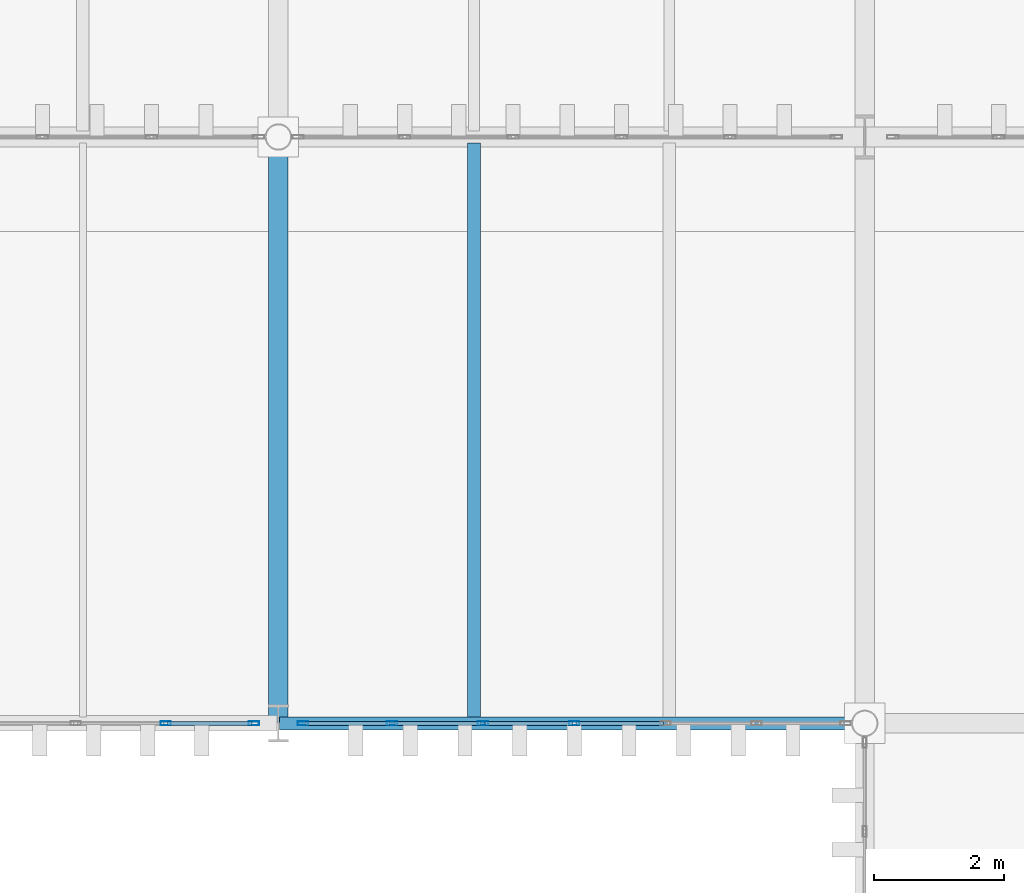
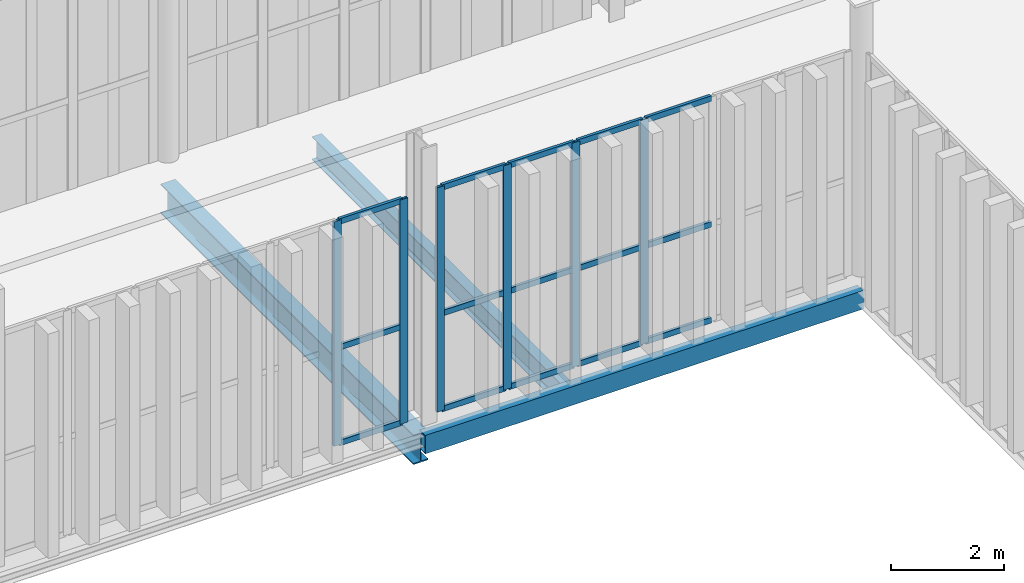
# One storey, part 147 of 237: 21 members, 3 beams, 2 elements without a shape of their own.
"""IFC4 building model written with IfcOpenShell, lengths in metres."""

from ifc_helpers import new_model, si_unit, direction, frame, origin, origin_2d, place, context, subcontext, project, spatial, hollow_rectangle, i_section, extrude, material, layer, layer_set, material_profile, profile_set, type_object, element, aggregate, save


model = new_model("IFC4")

# Units and contexts
model_context = context("Model", 3, precision=1e-05, world=origin(), true_north=direction((0.0, 1.0)))
body_context = subcontext(model_context, "Body", "Model", "MODEL_VIEW")
ifc_project = project(units=[si_unit("LENGTHUNIT", "METRE"), si_unit("AREAUNIT", "SQUARE_METRE"), si_unit("VOLUMEUNIT", "CUBIC_METRE"), si_unit("PLANEANGLEUNIT", "RADIAN"), si_unit("MASSUNIT", "GRAM", prefix="KILO")], contexts=[model_context])

# Site, building, storey
site_placement = place(None, origin())
site = spatial("IfcSite", under=ifc_project, at=site_placement, CompositionType="ELEMENT")
building_placement = place(site_placement, origin())
building = spatial("IfcBuilding", under=site, at=building_placement, Name="Barlavento Convention Centre", CompositionType="ELEMENT")
storey_placement = place(building_placement, frame((0.0, 0.0, 12.0)))
storey = spatial("IfcBuildingStorey", under=building, at=storey_placement, Name="L02", CompositionType="ELEMENT", Elevation=12.0)

# Curtain wall, members
ifc_material_1 = material(Name="Powder-coated aluminium and Low-E glass", Category="aluminium")
ifc_layer = layer(ifc_material_1, 0.195068359375)
ifc_layer_set = layer_set([ifc_layer], Name="ARC-CW-PATIO-A")
curtain_wall_type = type_object("IfcCurtainWallType", Name="ARC-CW-PATIO-A", PredefinedType="NOTDEFINED", material=ifc_layer_set)
curtain_wall_1_placement = place(storey_placement, origin())
curtain_wall_1 = element("IfcCurtainWall", 1, at=curtain_wall_1_placement, inside=storey, type_object=curtain_wall_type, Name="L02 unitised curtain wall CW11", PredefinedType="NOTDEFINED")
ifc_material_2 = material(Name="Powder-coated aluminium", Category="aluminium")
ifc_material_profile_1 = material_profile(ifc_material_2, hollow_rectangle(XDim=0.06005859375, YDim=0.159912109375, WallThickness=0.00390625, at=origin_2d()), Name="AL-MULL 60x160x4")
ifc_profile_set_1 = profile_set([ifc_material_profile_1], Name="Powder-coated aluminium")
member_type_1 = type_object("IfcMemberType", Name="ARC-CWM-60X160", PredefinedType="MULLION", material=ifc_profile_set_1)
member_1_placement = place(storey_placement, frame((160.271728515625, 90.0, 0.0), z_axis=(0.0, 0.0, 1.0), x_axis=(0.0, 1.0, 0.0)))
member_1 = element("IfcMember", 2, at=member_1_placement, type_object=member_type_1, Name="CW11 mullion 6", PredefinedType="MULLION", context=body_context, shape_type="SweptSolid", body=[
    extrude(hollow_rectangle(XDim=0.06005859375, YDim=0.159912109375, WallThickness=0.00390625, at=origin_2d()), origin(), (0.0, 0.0, 1.0), 4.85009765625),
])
member_2_placement = place(storey_placement, frame((161.6240234375, 90.0, 0.0), z_axis=(0.0, 0.0, 1.0), x_axis=(0.0, 1.0, 0.0)))
member_2 = element("IfcMember", 3, at=member_2_placement, type_object=member_type_1, Name="CW11 mullion 7", PredefinedType="MULLION", context=body_context, shape_type="SweptSolid", body=[
    extrude(hollow_rectangle(XDim=0.06005859375, YDim=0.159912109375, WallThickness=0.00390625, at=origin_2d()), origin(), (0.0, 0.0, 1.0), 4.85009765625),
])

curtain_wall_2_placement = place(storey_placement, origin())
curtain_wall_2 = element("IfcCurtainWall", 4, at=curtain_wall_2_placement, inside=storey, type_object=curtain_wall_type, Name="L02 unitised curtain wall CW11", PredefinedType="NOTDEFINED")
member_3_placement = place(storey_placement, frame((162.3759765625, 90.0, 0.0), z_axis=(0.0, 0.0, 1.0), x_axis=(0.0, 1.0, 0.0)))
member_3 = element("IfcMember", 5, at=member_3_placement, type_object=member_type_1, Name="CW11 mullion 1", PredefinedType="MULLION", context=body_context, shape_type="SweptSolid", body=[
    extrude(hollow_rectangle(XDim=0.06005859375, YDim=0.159912109375, WallThickness=0.00390625, at=origin_2d()), origin(), (0.0, 0.0, 1.0), 4.85009765625),
])
member_4_placement = place(storey_placement, frame((163.744384765625, 90.0, 0.0), z_axis=(0.0, 0.0, 1.0), x_axis=(0.0, 1.0, 0.0)))
member_4 = element("IfcMember", 6, at=member_4_placement, type_object=member_type_1, Name="CW11 mullion 2", PredefinedType="MULLION", context=body_context, shape_type="SweptSolid", body=[
    extrude(hollow_rectangle(XDim=0.06005859375, YDim=0.159912109375, WallThickness=0.00390625, at=origin_2d()), origin(), (0.0, 0.0, 1.0), 4.85009765625),
])
member_5_placement = place(storey_placement, frame((165.142822265625, 90.0, 0.0), z_axis=(0.0, 0.0, 1.0), x_axis=(0.0, 1.0, 0.0)))
member_5 = element("IfcMember", 7, at=member_5_placement, type_object=member_type_1, Name="CW11 mullion 3", PredefinedType="MULLION", context=body_context, shape_type="SweptSolid", body=[
    extrude(hollow_rectangle(XDim=0.06005859375, YDim=0.159912109375, WallThickness=0.00390625, at=origin_2d()), origin(), (0.0, 0.0, 1.0), 4.85009765625),
])
member_6_placement = place(storey_placement, frame((166.54150390625, 90.0, 0.0), z_axis=(0.0, 0.0, 1.0), x_axis=(0.0, 1.0, 0.0)))
member_6 = element("IfcMember", 8, at=member_6_placement, type_object=member_type_1, Name="CW11 mullion 4", PredefinedType="MULLION", context=body_context, shape_type="SweptSolid", body=[
    extrude(hollow_rectangle(XDim=0.06005859375, YDim=0.159912109375, WallThickness=0.00390625, at=origin_2d()), origin(), (0.0, 0.0, 1.0), 4.85009765625),
])

# Member
ifc_material_profile_2 = material_profile(ifc_material_2, hollow_rectangle(XDim=0.06005859375, YDim=0.1201171875, WallThickness=0.00390625, at=origin_2d()), Name="AL-TRAN 60x120x4")
ifc_profile_set_2 = profile_set([ifc_material_profile_2], Name="Powder-coated aluminium")
member_type_2 = type_object("IfcMemberType", Name="ARC-CWT-60X120", PredefinedType="USERDEFINED", material=ifc_profile_set_2)
member_7_placement = place(storey_placement, frame((160.3017578125, 90.0, 0.030029296875), z_axis=(1.0, 0.0, 0.0), x_axis=(0.0, 1.0, 0.0)))
member_7 = element("IfcMember", 9, at=member_7_placement, type_object=member_type_2, Name="CW11 transom 6.1", ObjectType="TRANSOM", PredefinedType="USERDEFINED", context=body_context, shape_type="SweptSolid", body=[
    extrude(hollow_rectangle(XDim=0.06005859375, YDim=0.1201171875, WallThickness=0.00390625, at=origin_2d()), origin(), (0.0, 0.0, 1.0), 1.292236328125),
])

member_8_placement = place(storey_placement, frame((160.3017578125, 90.0, 2.10009765625), z_axis=(1.0, 0.0, 0.0), x_axis=(0.0, 1.0, 0.0)))
member_8 = element("IfcMember", 10, at=member_8_placement, type_object=member_type_2, Name="CW11 transom 6.2", ObjectType="TRANSOM", PredefinedType="USERDEFINED", context=body_context, shape_type="SweptSolid", body=[
    extrude(hollow_rectangle(XDim=0.06005859375, YDim=0.1201171875, WallThickness=0.00390625, at=origin_2d()), origin(), (0.0, 0.0, 1.0), 1.292236328125),
])

member_9_placement = place(storey_placement, frame((160.3017578125, 90.0, 4.820068359375), z_axis=(1.0, 0.0, 0.0), x_axis=(0.0, 1.0, 0.0)))
member_9 = element("IfcMember", 11, at=member_9_placement, type_object=member_type_2, Name="CW11 transom 6.3", ObjectType="TRANSOM", PredefinedType="USERDEFINED", context=body_context, shape_type="SweptSolid", body=[
    extrude(hollow_rectangle(XDim=0.06005859375, YDim=0.1201171875, WallThickness=0.00390625, at=origin_2d()), origin(), (0.0, 0.0, 1.0), 1.292236328125),
])

aggregate(curtain_wall_1, [member_1, member_2, member_7, member_8, member_9])

member_10_placement = place(storey_placement, frame((162.406005859375, 90.0, 0.030029296875), z_axis=(1.0, 0.0, 0.0), x_axis=(0.0, 1.0, 0.0)))
member_10 = element("IfcMember", 12, at=member_10_placement, type_object=member_type_2, Name="CW11 transom 1.1", ObjectType="TRANSOM", PredefinedType="USERDEFINED", context=body_context, shape_type="SweptSolid", body=[
    extrude(hollow_rectangle(XDim=0.06005859375, YDim=0.1201171875, WallThickness=0.00390625, at=origin_2d()), origin(), (0.0, 0.0, 1.0), 1.308349609375),
])

member_11_placement = place(storey_placement, frame((162.406005859375, 90.0, 2.10009765625), z_axis=(1.0, 0.0, 0.0), x_axis=(0.0, 1.0, 0.0)))
member_11 = element("IfcMember", 13, at=member_11_placement, type_object=member_type_2, Name="CW11 transom 1.2", ObjectType="TRANSOM", PredefinedType="USERDEFINED", context=body_context, shape_type="SweptSolid", body=[
    extrude(hollow_rectangle(XDim=0.06005859375, YDim=0.1201171875, WallThickness=0.00390625, at=origin_2d()), origin(), (0.0, 0.0, 1.0), 1.308349609375),
])

member_12_placement = place(storey_placement, frame((162.406005859375, 90.0, 4.820068359375), z_axis=(1.0, 0.0, 0.0), x_axis=(0.0, 1.0, 0.0)))
member_12 = element("IfcMember", 14, at=member_12_placement, type_object=member_type_2, Name="CW11 transom 1.3", ObjectType="TRANSOM", PredefinedType="USERDEFINED", context=body_context, shape_type="SweptSolid", body=[
    extrude(hollow_rectangle(XDim=0.06005859375, YDim=0.1201171875, WallThickness=0.00390625, at=origin_2d()), origin(), (0.0, 0.0, 1.0), 1.308349609375),
])

member_13_placement = place(storey_placement, frame((163.7744140625, 90.0, 0.030029296875), z_axis=(1.0, 0.0, 0.0), x_axis=(0.0, 1.0, 0.0)))
member_13 = element("IfcMember", 15, at=member_13_placement, type_object=member_type_2, Name="CW11 transom 2.1", ObjectType="TRANSOM", PredefinedType="USERDEFINED", context=body_context, shape_type="SweptSolid", body=[
    extrude(hollow_rectangle(XDim=0.06005859375, YDim=0.1201171875, WallThickness=0.00390625, at=origin_2d()), origin(), (0.0, 0.0, 1.0), 1.338623046875),
])

member_14_placement = place(storey_placement, frame((163.7744140625, 90.0, 2.10009765625), z_axis=(1.0, 0.0, 0.0), x_axis=(0.0, 1.0, 0.0)))
member_14 = element("IfcMember", 16, at=member_14_placement, type_object=member_type_2, Name="CW11 transom 2.2", ObjectType="TRANSOM", PredefinedType="USERDEFINED", context=body_context, shape_type="SweptSolid", body=[
    extrude(hollow_rectangle(XDim=0.06005859375, YDim=0.1201171875, WallThickness=0.00390625, at=origin_2d()), origin(), (0.0, 0.0, 1.0), 1.338623046875),
])

member_15_placement = place(storey_placement, frame((163.7744140625, 90.0, 4.820068359375), z_axis=(1.0, 0.0, 0.0), x_axis=(0.0, 1.0, 0.0)))
member_15 = element("IfcMember", 17, at=member_15_placement, type_object=member_type_2, Name="CW11 transom 2.3", ObjectType="TRANSOM", PredefinedType="USERDEFINED", context=body_context, shape_type="SweptSolid", body=[
    extrude(hollow_rectangle(XDim=0.06005859375, YDim=0.1201171875, WallThickness=0.00390625, at=origin_2d()), origin(), (0.0, 0.0, 1.0), 1.338623046875),
])

member_16_placement = place(storey_placement, frame((165.1728515625, 90.0, 0.030029296875), z_axis=(1.0, 0.0, 0.0), x_axis=(0.0, 1.0, 0.0)))
member_16 = element("IfcMember", 18, at=member_16_placement, type_object=member_type_2, Name="CW11 transom 3.1", ObjectType="TRANSOM", PredefinedType="USERDEFINED", context=body_context, shape_type="SweptSolid", body=[
    extrude(hollow_rectangle(XDim=0.06005859375, YDim=0.1201171875, WallThickness=0.00390625, at=origin_2d()), origin(), (0.0, 0.0, 1.0), 1.338623046875),
])

member_17_placement = place(storey_placement, frame((165.1728515625, 90.0, 2.10009765625), z_axis=(1.0, 0.0, 0.0), x_axis=(0.0, 1.0, 0.0)))
member_17 = element("IfcMember", 19, at=member_17_placement, type_object=member_type_2, Name="CW11 transom 3.2", ObjectType="TRANSOM", PredefinedType="USERDEFINED", context=body_context, shape_type="SweptSolid", body=[
    extrude(hollow_rectangle(XDim=0.06005859375, YDim=0.1201171875, WallThickness=0.00390625, at=origin_2d()), origin(), (0.0, 0.0, 1.0), 1.338623046875),
])

member_18_placement = place(storey_placement, frame((165.1728515625, 90.0, 4.820068359375), z_axis=(1.0, 0.0, 0.0), x_axis=(0.0, 1.0, 0.0)))
member_18 = element("IfcMember", 20, at=member_18_placement, type_object=member_type_2, Name="CW11 transom 3.3", ObjectType="TRANSOM", PredefinedType="USERDEFINED", context=body_context, shape_type="SweptSolid", body=[
    extrude(hollow_rectangle(XDim=0.06005859375, YDim=0.1201171875, WallThickness=0.00390625, at=origin_2d()), origin(), (0.0, 0.0, 1.0), 1.338623046875),
])

member_19_placement = place(storey_placement, frame((166.5712890625, 90.0, 0.030029296875), z_axis=(1.0, 0.0, 0.0), x_axis=(0.0, 1.0, 0.0)))
member_19 = element("IfcMember", 21, at=member_19_placement, type_object=member_type_2, Name="CW11 transom 4.1", ObjectType="TRANSOM", PredefinedType="USERDEFINED", context=body_context, shape_type="SweptSolid", body=[
    extrude(hollow_rectangle(XDim=0.06005859375, YDim=0.1201171875, WallThickness=0.00390625, at=origin_2d()), origin(), (0.0, 0.0, 1.0), 1.338623046875),
])

member_20_placement = place(storey_placement, frame((166.5712890625, 90.0, 2.10009765625), z_axis=(1.0, 0.0, 0.0), x_axis=(0.0, 1.0, 0.0)))
member_20 = element("IfcMember", 22, at=member_20_placement, type_object=member_type_2, Name="CW11 transom 4.2", ObjectType="TRANSOM", PredefinedType="USERDEFINED", context=body_context, shape_type="SweptSolid", body=[
    extrude(hollow_rectangle(XDim=0.06005859375, YDim=0.1201171875, WallThickness=0.00390625, at=origin_2d()), origin(), (0.0, 0.0, 1.0), 1.338623046875),
])

member_21_placement = place(storey_placement, frame((166.5712890625, 90.0, 4.820068359375), z_axis=(1.0, 0.0, 0.0), x_axis=(0.0, 1.0, 0.0)))
member_21 = element("IfcMember", 23, at=member_21_placement, type_object=member_type_2, Name="CW11 transom 4.3", ObjectType="TRANSOM", PredefinedType="USERDEFINED", context=body_context, shape_type="SweptSolid", body=[
    extrude(hollow_rectangle(XDim=0.06005859375, YDim=0.1201171875, WallThickness=0.00390625, at=origin_2d()), origin(), (0.0, 0.0, 1.0), 1.338623046875),
])

aggregate(curtain_wall_2, [member_3, member_4, member_5, member_6, member_10, member_11, member_12, member_13, member_14, member_15, member_16, member_17, member_18, member_19, member_20, member_21])

# Beams
ifc_material_3 = material(Name="Steel S355", Category="steel")
ifc_material_profile_3 = material_profile(ifc_material_3, i_section(OverallWidth=0.199951171875, OverallDepth=0.5, WebThickness=0.01025390625, FlangeThickness=0.01611328125, FilletRadius=0.02099609375, at=origin_2d()), Name="IPE 500")
ifc_profile_set_3 = profile_set([ifc_material_profile_3], Name="Steel S355")
beam_type_1 = type_object("IfcBeamType", Name="STR-BM-JST-IPE500", PredefinedType="JOIST", material=ifc_profile_set_3)
beam_1_placement = place(storey_placement, frame((165.0, 90.094970703125, -0.614990234375), z_axis=(0.0, 1.0, 0.0), x_axis=(-1.0, 0.0, 0.0)))
element("IfcBeam", 24, at=beam_1_placement, inside=storey, type_object=beam_type_1, Name="L02 composite floor joist SJ02", PredefinedType="JOIST", context=body_context, shape_type="SweptSolid", body=[
    extrude(i_section(OverallWidth=0.199951171875, OverallDepth=0.5, WebThickness=0.01025390625, FlangeThickness=0.01611328125, FilletRadius=0.02099609375, at=origin_2d()), origin(), (0.0, 0.0, 1.0), 8.81005859375),
])
ifc_material_profile_4 = material_profile(ifc_material_3, i_section(OverallWidth=0.300048828125, OverallDepth=0.639892578125, WebThickness=0.013427734375, FlangeThickness=0.02587890625, FilletRadius=0.027099609375, at=origin_2d()), Name="HEA 650")
ifc_profile_set_4 = profile_set([ifc_material_profile_4], Name="Steel S355")
beam_type_2 = type_object("IfcBeamType", Name="STR-BM-PRI-HEA650", PredefinedType="BEAM", material=ifc_profile_set_4)
beam_2_placement = place(storey_placement, frame((162.0, 90.02001953125, -0.68505859375), z_axis=(0.0, 1.0, 0.0), x_axis=(-1.0, 0.0, 0.0)))
element("IfcBeam", 25, at=beam_2_placement, inside=storey, type_object=beam_type_2, Name="L02 grid girder BG17", PredefinedType="BEAM", context=body_context, shape_type="SweptSolid", body=[
    extrude(i_section(OverallWidth=0.300048828125, OverallDepth=0.639892578125, WebThickness=0.013427734375, FlangeThickness=0.02587890625, FilletRadius=0.027099609375, at=origin_2d()), origin(), (0.0, 0.0, 1.0), 8.9599609375),
])
ifc_material_profile_5 = material_profile(ifc_material_3, hollow_rectangle(XDim=0.199951171875, YDim=0.39990234375, WallThickness=0.01611328125, at=origin_2d()), Name="RHS 400x200x16.0")
ifc_profile_set_5 = profile_set([ifc_material_profile_5], Name="Steel S355")
beam_type_3 = type_object("IfcBeamType", Name="STR-BM-SPN-RHS400", PredefinedType="SPANDREL", material=ifc_profile_set_5)
beam_3_placement = place(storey_placement, frame((162.02001953125, 90.0, -0.56005859375), z_axis=(1.0, 0.0, 0.0), x_axis=(0.0, 1.0, 0.0)))
element("IfcBeam", 26, at=beam_3_placement, inside=storey, type_object=beam_type_3, Name="L02 primary girder SP06", PredefinedType="SPANDREL", context=body_context, shape_type="SweptSolid", body=[
    extrude(hollow_rectangle(XDim=0.199951171875, YDim=0.39990234375, WallThickness=0.01611328125, at=origin_2d()), origin(), (0.0, 0.0, 1.0), 8.9599609375),
])

save(model, "model.ifc")
